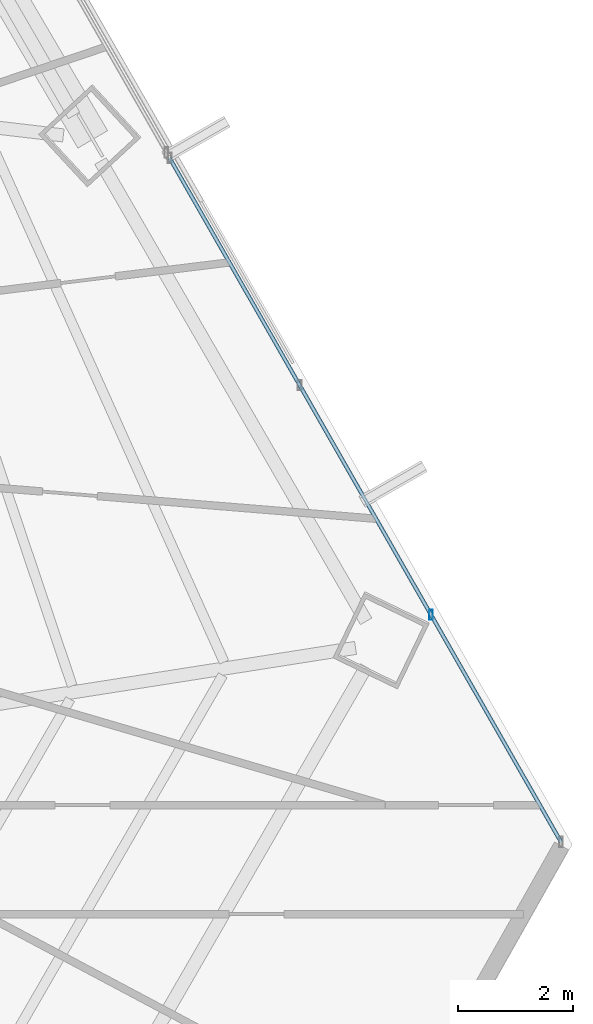
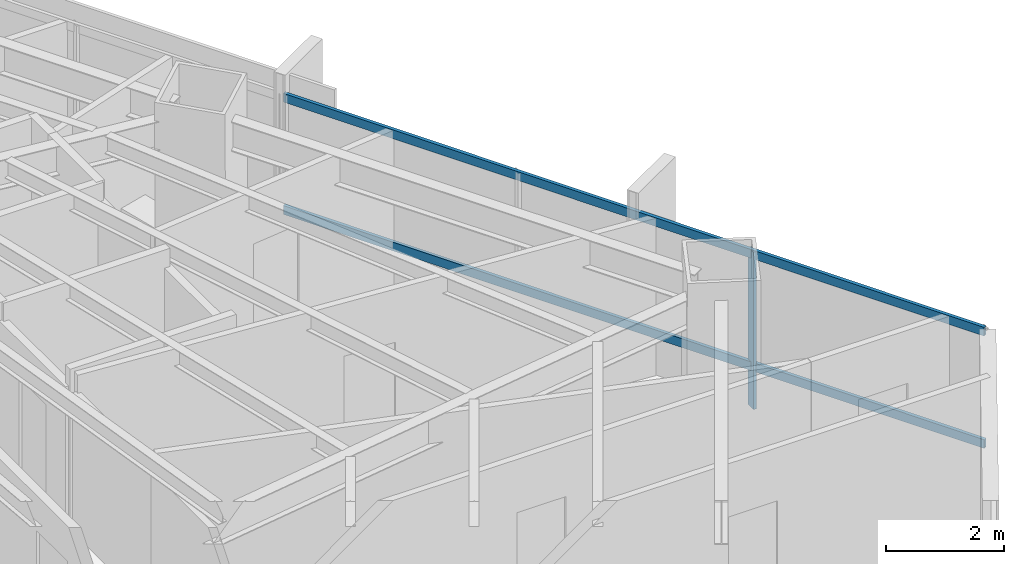
# One storey, part 24 of 39: 3 members, 1 element without a shape of its own.
"""IFC4 building model written with IfcOpenShell, lengths in metres."""

from ifc_helpers import new_model, si_unit, direction, frame, origin, origin_2d, place, context, subcontext, project, spatial, hollow_rectangle, extrude, source, transform, mapped, material, material_profile, profile_set, type_object, type_shapes, element, aggregate, save


model = new_model("IFC4")

# Units and contexts
model_context = context("Model", 3, precision=1e-05, world=origin(), true_north=direction((0.0, 1.0)))
body_context = subcontext(model_context, "Body", "Model", "MODEL_VIEW")
ifc_project = project(units=[si_unit("LENGTHUNIT", "METRE"), si_unit("AREAUNIT", "SQUARE_METRE"), si_unit("VOLUMEUNIT", "CUBIC_METRE"), si_unit("PLANEANGLEUNIT", "RADIAN"), si_unit("MASSUNIT", "GRAM", prefix="KILO")], contexts=[model_context])

# Site, building, storey
site_placement = place(None, origin())
site = spatial("IfcSite", under=ifc_project, at=site_placement, CompositionType="ELEMENT")
building_placement = place(site_placement, origin())
building = spatial("IfcBuilding", under=site, at=building_placement, Name="Caelisora Broadcast Tower", CompositionType="ELEMENT")
storey_placement = place(building_placement, frame((0.0, 0.0, 71.39990234375)))
storey = spatial("IfcBuildingStorey", under=building, at=storey_placement, Name="L18", CompositionType="ELEMENT", Elevation=71.39990234375)

# Curtain wall, members
ifc_material_1 = material(Name="Unitised Aluminium and Low-E Glass Curtain Wall", Category="glass")
curtain_wall_type = type_object("IfcCurtainWallType", Name="CW-Z1", PredefinedType="NOTDEFINED", material=ifc_material_1)
curtain_wall_placement = place(storey_placement, origin())
curtain_wall = element("IfcCurtainWall", 1, at=curtain_wall_placement, inside=storey, type_object=curtain_wall_type, Name="L18 curtain wall CW-Z1", PredefinedType="NOTDEFINED")
ifc_material_2 = material(Name="Aluminium 6063-T6 Anodised Terracotta Bronze", Category="aluminium")
ifc_material_profile_1 = material_profile(ifc_material_2, hollow_rectangle(XDim=0.06494140625, YDim=0.179931640625, WallThickness=0.00341796875, at=origin_2d()), Name="Aluminium 6063-T6 Anodised Terracotta Bronze")
ifc_profile_set_1 = profile_set([ifc_material_profile_1], Name="Aluminium 6063-T6 Anodised Terracotta Bronze")
member_type_1 = type_object("IfcMemberType", Name="CWM-02", PredefinedType="MULLION", material=ifc_profile_set_1)
shared_shape_1 = source(origin(), body_context, "Body", "SweptSolid", [
    extrude(hollow_rectangle(XDim=0.06494140625, YDim=0.179931640625, WallThickness=0.00341796875, at=origin_2d()), origin(), (0.0, 0.0, 1.0), 3.25),
])
type_shapes(member_type_1, [shared_shape_1])
member_1_placement = place(storey_placement, frame((62.350341796875, 20.416015625, 0.0), z_axis=(0.0, 0.0, 1.0), x_axis=(1.0, 0.0, 0.0)))
member_1 = element("IfcMember", 2, at=member_1_placement, type_object=member_type_1, Name="L18-CW-B03 mullion #2", PredefinedType="MULLION", context=body_context, shape_type="MappedRepresentation", body=[
    mapped(shared_shape_1, transform((0.0, 0.0, 0.0), scale=1.0)),
])
ifc_material_profile_2 = material_profile(ifc_material_2, hollow_rectangle(XDim=0.06494140625, YDim=0.179931640625, WallThickness=0.00341796875, at=origin_2d()), Name="Aluminium 6063-T6 Anodised Terracotta Bronze")
ifc_profile_set_2 = profile_set([ifc_material_profile_2], Name="Aluminium 6063-T6 Anodised Terracotta Bronze")
member_type_2 = type_object("IfcMemberType", Name="CWT-01", PredefinedType="USERDEFINED", material=ifc_profile_set_2)
shared_shape_2 = source(origin(), body_context, "Body", "SweptSolid", [
    extrude(hollow_rectangle(XDim=0.06494140625, YDim=0.179931640625, WallThickness=0.00341796875, at=origin_2d()), origin(), (0.0, 0.0, 1.0), 13.731689453125),
])
type_shapes(member_type_2, [shared_shape_2])
member_2_placement = place(storey_placement, frame((57.7958984375, 28.376220703125, 0.85009765625), z_axis=(0.496613710434, -0.867971671548, 0.0), x_axis=(0.867971671548, 0.496613710434, 0.0)))
member_2 = element("IfcMember", 3, at=member_2_placement, type_object=member_type_2, Name="L18-CW-B03 transom #1", ObjectType="TRANSOM", PredefinedType="USERDEFINED", context=body_context, shape_type="MappedRepresentation", body=[
    mapped(shared_shape_2, transform((0.0, 0.0, 0.0), scale=1.0)),
])
member_3_placement = place(storey_placement, frame((57.7958984375, 28.376220703125, 3.170166015625), z_axis=(0.496613710434, -0.867971671548, 0.0), x_axis=(0.867971671548, 0.496613710434, 0.0)))
member_3 = element("IfcMember", 4, at=member_3_placement, type_object=member_type_2, Name="L18-CW-B03 transom #2", ObjectType="TRANSOM", PredefinedType="USERDEFINED", context=body_context, shape_type="MappedRepresentation", body=[
    mapped(shared_shape_2, transform((0.0, 0.0, 0.0), scale=1.0)),
])
aggregate(curtain_wall, [member_1, member_2, member_3])

save(model, "model.ifc")
